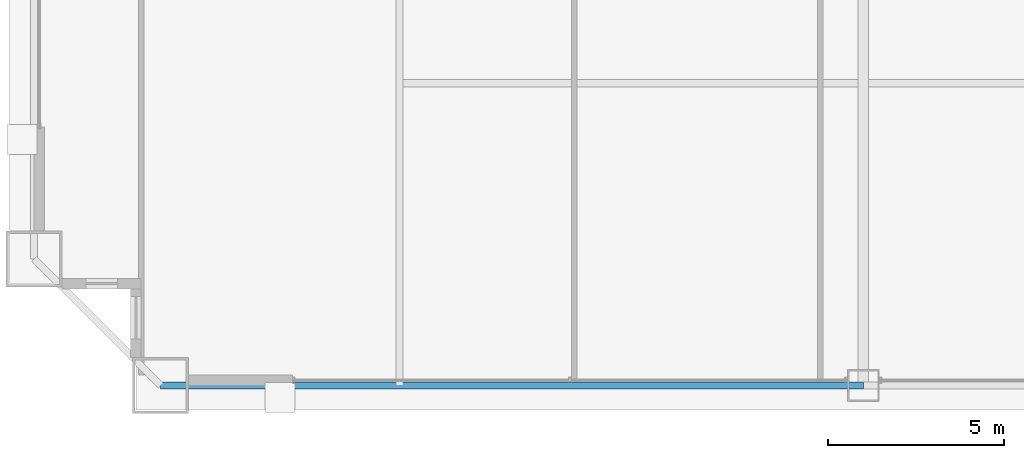
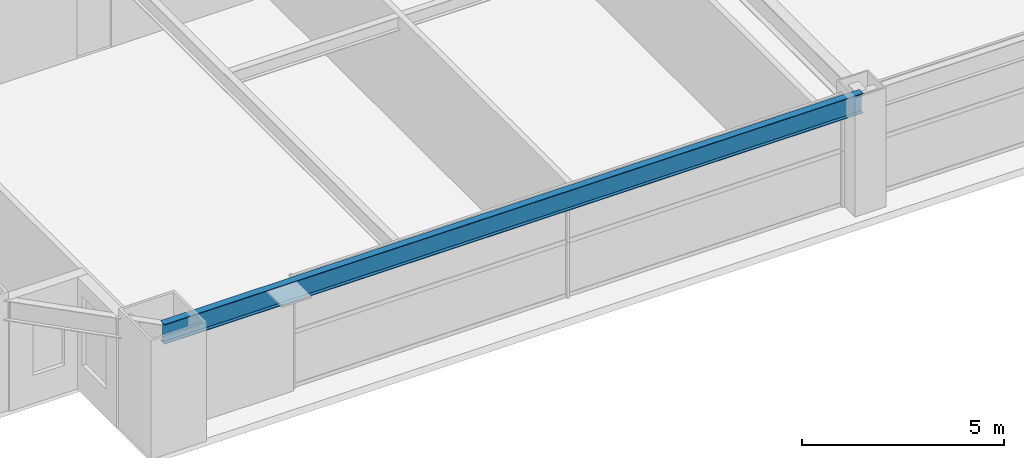
# One storey, part 4 of 38: 1 beam.
"""IFC4 building model written with IfcOpenShell, lengths in metres."""

from ifc_helpers import new_model, si_unit, direction, frame, origin, origin_2d, place, context, subcontext, project, spatial, i_section, extrude, source, transform, mapped, material, material_profile, profile_set, type_object, element, save


model = new_model("IFC4")

# Units and contexts
model_context = context("Model", 3, precision=1e-05, world=origin(), true_north=direction((0.0, 1.0)))
body_context = subcontext(model_context, "Body", "Model", "MODEL_VIEW")
ifc_project = project(units=[si_unit("LENGTHUNIT", "METRE"), si_unit("AREAUNIT", "SQUARE_METRE"), si_unit("VOLUMEUNIT", "CUBIC_METRE"), si_unit("PLANEANGLEUNIT", "RADIAN"), si_unit("MASSUNIT", "GRAM", prefix="KILO"), si_unit("THERMODYNAMICTEMPERATUREUNIT", "KELVIN"), si_unit("POWERUNIT", "WATT")], contexts=[model_context])

# Site, building, storey
site_placement = place(None, origin())
site = spatial("IfcSite", under=ifc_project, at=site_placement, CompositionType="ELEMENT")
building_placement = place(site_placement, origin())
building = spatial("IfcBuilding", under=site, at=building_placement, Name="Yuzanri Waterfront Tower", CompositionType="ELEMENT")
storey_placement = place(building_placement, frame((0.0, 0.0, 111.800048828125)))
storey = spatial("IfcBuildingStorey", under=building, at=storey_placement, Name="L29", CompositionType="ELEMENT", Elevation=111.800048828125)

# Beam
ifc_material = material(Name="Steel Q355B", Category="steel")
ifc_material_profile = material_profile(ifc_material, i_section(OverallWidth=0.199951171875, OverallDepth=0.60009765625, WebThickness=0.010986328125, FlangeThickness=0.01708984375, at=origin_2d()), Name="HN 600x200x11x17")
ifc_profile_set = profile_set([ifc_material_profile], Name="Steel Q355B")
beam_type = type_object("IfcBeamType", Name="Perimeter Spandrel Q355B HN 600x200", PredefinedType="SPANDREL", material=ifc_profile_set)
shared_shape = source(origin(), body_context, "Body", "SweptSolid", [
    extrude(i_section(OverallWidth=0.199951171875, OverallDepth=0.60009765625, WebThickness=0.010986328125, FlangeThickness=0.01708984375, at=origin_2d()), origin(), (0.0, 0.0, 1.0), 20.0),
])
beam_placement = place(storey_placement, frame((17.0, 2.199951171875, 3.079833984375), z_axis=(1.0, 0.0, 0.0), x_axis=(0.0, 1.0, 0.0)))
element("IfcBeam", 1, at=beam_placement, inside=storey, type_object=beam_type, Name="L29 Perimeter Spandrel S1-S2", PredefinedType="SPANDREL", context=body_context, shape_type="MappedRepresentation", body=[
    mapped(shared_shape, transform((0.0, 0.0, 0.0), scale=1.0)),
])

save(model, "model.ifc")
